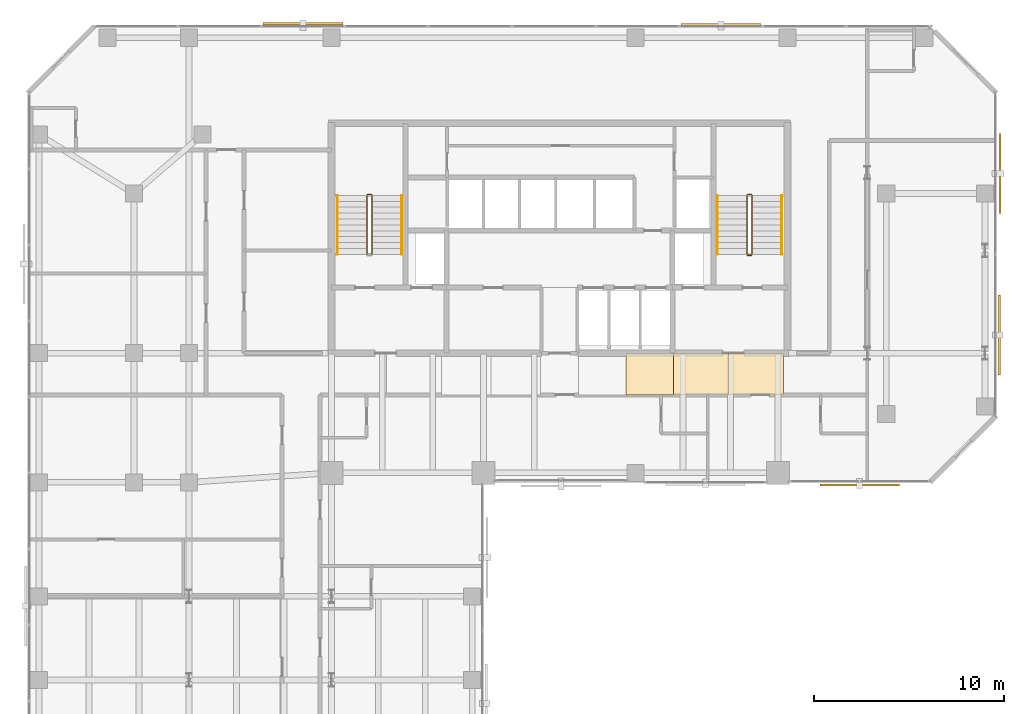
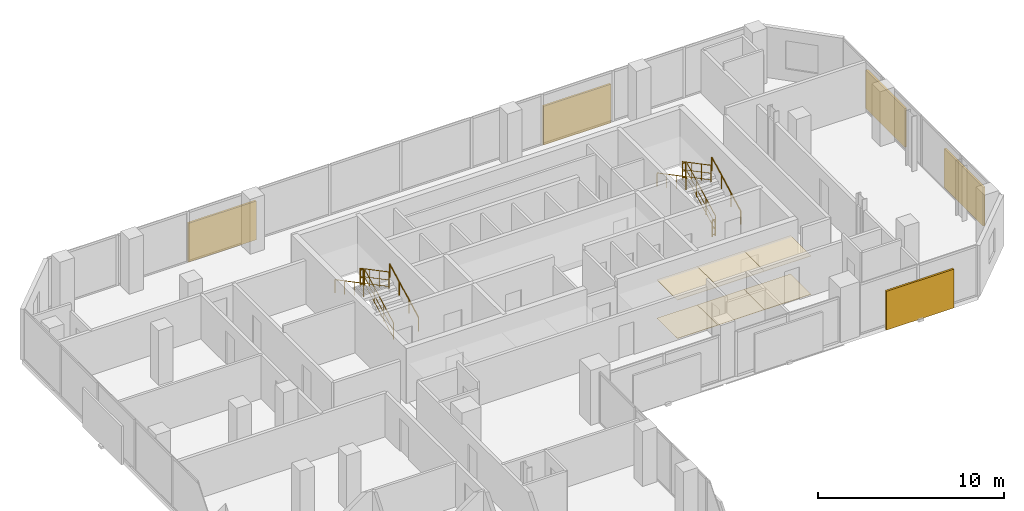
# One storey, part 33 of 33: 11 railings, 6 coverings, 5 shading devices.
"""IFC4 building model written with IfcOpenShell, lengths in metres."""

from ifc_helpers import new_model, si_unit, direction, frame, origin, origin_2d, place, context, subcontext, project, spatial, polyline, rectangle, circle, outline, extrude, material, layer, layer_set, type_object, element, save


model = new_model("IFC4")

# Units and contexts
model_context = context("Model", 3, precision=1e-05, world=origin(), true_north=direction((0.0, 1.0)))
body_context = subcontext(model_context, "Body", "Model", "MODEL_VIEW")
ifc_project = project(units=[si_unit("LENGTHUNIT", "METRE"), si_unit("AREAUNIT", "SQUARE_METRE"), si_unit("VOLUMEUNIT", "CUBIC_METRE"), si_unit("PLANEANGLEUNIT", "RADIAN"), si_unit("MASSUNIT", "GRAM", prefix="KILO")], contexts=[model_context])

# Site, building, storey
site_placement = place(None, origin())
site = spatial("IfcSite", under=ifc_project, at=site_placement, CompositionType="ELEMENT")
building_placement = place(site_placement, origin())
building = spatial("IfcBuilding", under=site, at=building_placement, Name="Catumbela Crestline Tower", CompositionType="ELEMENT")
storey_placement = place(building_placement, frame((0.0, 0.0, 108.0)))
storey = spatial("IfcBuildingStorey", under=building, at=storey_placement, Name="L27", CompositionType="ELEMENT", Elevation=108.0)

# Coverings
ifc_material_1 = material(Name="Mineral-fibre acoustic ceiling")
ifc_layer_1 = layer(ifc_material_1, 0.03, Name="Mineral-fibre acoustic ceiling")
ifc_layer_set_1 = layer_set([ifc_layer_1], Name="Mineral-fibre acoustic ceiling")
covering_type_1 = type_object("IfcCoveringType", Name="CC-AC", PredefinedType="CEILING", material=ifc_layer_set_1)
covering_1_placement = place(storey_placement, frame((0.0, 0.0, 2.52)))
element("IfcCovering", 1, at=covering_1_placement, inside=storey, type_object=covering_type_1, Name="L27 Corridor Acoustic Ceiling Bay 6", PredefinedType="CEILING", context=body_context, shape_type="SweptSolid", body=[
    extrude(outline(polyline([(31.5, 28.6), (34.0, 28.6), (34.0, 30.8), (31.5, 30.8), (31.5, 28.6)])), origin(), (0.0, 0.0, 1.0), 0.03),
])
covering_2_placement = place(storey_placement, frame((0.0, 0.0, 2.52)))
element("IfcCovering", 2, at=covering_2_placement, inside=storey, type_object=covering_type_1, Name="L27 Corridor Acoustic Ceiling Bay 7", PredefinedType="CEILING", context=body_context, shape_type="SweptSolid", body=[
    extrude(outline(polyline([(34.0, 28.6), (36.9, 28.6), (36.9, 30.8), (34.0, 30.8), (34.0, 28.6)])), origin(), (0.0, 0.0, 1.0), 0.03),
])
covering_3_placement = place(storey_placement, frame((0.0, 0.0, 2.52)))
element("IfcCovering", 3, at=covering_3_placement, inside=storey, type_object=covering_type_1, Name="L27 Corridor Acoustic Ceiling Bay 8", PredefinedType="CEILING", context=body_context, shape_type="SweptSolid", body=[
    extrude(outline(polyline([(36.9, 28.6), (39.8, 28.6), (39.8, 30.8), (36.9, 30.8), (36.9, 28.6)])), origin(), (0.0, 0.0, 1.0), 0.03),
])
ifc_material_2 = material(Name="Angolan grey-ochre granite", Category="masonry")
ifc_layer_2 = layer(ifc_material_2, 0.025, Name="Angolan grey-ochre granite")
ifc_layer_set_2 = layer_set([ifc_layer_2], Name="Angolan grey-ochre granite")
covering_type_2 = type_object("IfcCoveringType", Name="CF-GR", PredefinedType="FLOORING", material=ifc_layer_set_2)
covering_4_placement = place(storey_placement, origin())
element("IfcCovering", 4, at=covering_4_placement, inside=storey, type_object=covering_type_2, Name="L27 Corridor Granite Flooring Bay 6", PredefinedType="FLOORING", context=body_context, shape_type="SweptSolid", body=[
    extrude(outline(polyline([(31.5, 28.6), (34.0, 28.6), (34.0, 30.8), (31.5, 30.8), (31.5, 28.6)])), origin(), (0.0, 0.0, 1.0), 0.025),
])
covering_5_placement = place(storey_placement, origin())
element("IfcCovering", 5, at=covering_5_placement, inside=storey, type_object=covering_type_2, Name="L27 Corridor Granite Flooring Bay 7", PredefinedType="FLOORING", context=body_context, shape_type="SweptSolid", body=[
    extrude(outline(polyline([(34.0, 28.6), (36.9, 28.6), (36.9, 30.8), (34.0, 30.8), (34.0, 28.6)])), origin(), (0.0, 0.0, 1.0), 0.025),
])
covering_6_placement = place(storey_placement, origin())
element("IfcCovering", 6, at=covering_6_placement, inside=storey, type_object=covering_type_2, Name="L27 Corridor Granite Flooring Bay 8", PredefinedType="FLOORING", context=body_context, shape_type="SweptSolid", body=[
    extrude(outline(polyline([(36.9, 28.6), (39.8, 28.6), (39.8, 30.8), (36.9, 30.8), (36.9, 28.6)])), origin(), (0.0, 0.0, 1.0), 0.025),
])

# Railings
ifc_material_3 = material(Name="Stainless steel EN 1.4401", Category="steel")
railing_type_1 = type_object("IfcRailingType", Name="RG-1100", PredefinedType="GUARDRAIL", material=ifc_material_3)
railing_1_placement = place(storey_placement, frame((18.14, 36.0, 0.1636)))
element("IfcRailing", 7, at=railing_1_placement, inside=storey, type_object=railing_type_1, Name="L27 ST-01 stair guard 1", PredefinedType="GUARDRAIL", context=body_context, shape_type="SweptSolid", body=[
    extrude(circle(Radius=0.024, at=origin_2d()), frame((0.0, 0.0, 1.076), z_axis=(0.0, 0.884350731049, 0.466823076222), x_axis=(-1.0, 0.0, 0.0)), (0.0, 0.0, 1.0), 3.5054),
    extrude(circle(Radius=0.0156, at=origin_2d()), frame((0.0, 0.0, 0.55), z_axis=(0.0, 0.884350731049, 0.466823076222), x_axis=(-1.0, 0.0, 0.0)), (0.0, 0.0, 1.0), 3.5054),
    extrude(circle(Radius=0.0156, at=origin_2d()), frame((0.0, 0.0, 0.12), z_axis=(0.0, 0.884350731049, 0.466823076222), x_axis=(-1.0, 0.0, 0.0)), (0.0, 0.0, 1.0), 3.5054),
    extrude(circle(Radius=0.021, at=origin_2d()), origin(), (0.0, 0.0, 1.0), 1.052),
    extrude(circle(Radius=0.021, at=origin_2d()), frame((0.0, 1.0333, 0.5455)), (0.0, 0.0, 1.0), 1.052),
    extrude(circle(Radius=0.021, at=origin_2d()), frame((0.0, 2.0667, 1.0909)), (0.0, 0.0, 1.0), 1.052),
    extrude(circle(Radius=0.021, at=origin_2d()), frame((0.0, 3.1, 1.6364)), (0.0, 0.0, 1.0), 1.052),
])
railing_2_placement = place(storey_placement, frame((18.09, 39.15, 1.8)))
element("IfcRailing", 8, at=railing_2_placement, inside=storey, type_object=railing_type_1, Name="L27 ST-01 stair guard 2", PredefinedType="GUARDRAIL", context=body_context, shape_type="SweptSolid", body=[
    extrude(circle(Radius=0.024, at=origin_2d()), frame((0.0, 0.0, 1.076), z_axis=(-1.0, 0.0, 0.0), x_axis=(0.0, -1.0, 0.0)), (0.0, 0.0, 1.0), 0.18),
    extrude(circle(Radius=0.0156, at=origin_2d()), frame((0.0, 0.0, 0.55), z_axis=(-1.0, 0.0, 0.0), x_axis=(0.0, -1.0, 0.0)), (0.0, 0.0, 1.0), 0.18),
    extrude(circle(Radius=0.0156, at=origin_2d()), frame((0.0, 0.0, 0.12), z_axis=(-1.0, 0.0, 0.0), x_axis=(0.0, -1.0, 0.0)), (0.0, 0.0, 1.0), 0.18),
    extrude(circle(Radius=0.021, at=origin_2d()), origin(), (0.0, 0.0, 1.0), 1.052),
    extrude(circle(Radius=0.021, at=origin_2d()), frame((-0.18, 0.0, 0.0)), (0.0, 0.0, 1.0), 1.052),
])
railing_3_placement = place(storey_placement, frame((17.86, 39.1, 1.9636)))
element("IfcRailing", 9, at=railing_3_placement, inside=storey, type_object=railing_type_1, Name="L27 ST-01 stair guard 3", PredefinedType="GUARDRAIL", context=body_context, shape_type="SweptSolid", body=[
    extrude(circle(Radius=0.024, at=origin_2d()), frame((0.0, 0.0, 1.076), z_axis=(0.0, -0.884350731049, 0.466823076222), x_axis=(1.0, 0.0, 0.0)), (0.0, 0.0, 1.0), 3.5054),
    extrude(circle(Radius=0.0156, at=origin_2d()), frame((0.0, 0.0, 0.55), z_axis=(0.0, -0.884350731049, 0.466823076222), x_axis=(1.0, 0.0, 0.0)), (0.0, 0.0, 1.0), 3.5054),
    extrude(circle(Radius=0.0156, at=origin_2d()), frame((0.0, 0.0, 0.12), z_axis=(0.0, -0.884350731049, 0.466823076222), x_axis=(1.0, 0.0, 0.0)), (0.0, 0.0, 1.0), 3.5054),
    extrude(circle(Radius=0.021, at=origin_2d()), origin(), (0.0, 0.0, 1.0), 1.052),
    extrude(circle(Radius=0.021, at=origin_2d()), frame((0.0, -1.0333, 0.5455)), (0.0, 0.0, 1.0), 1.052),
    extrude(circle(Radius=0.021, at=origin_2d()), frame((0.0, -2.0667, 1.0909)), (0.0, 0.0, 1.0), 1.052),
    extrude(circle(Radius=0.021, at=origin_2d()), frame((0.0, -3.1, 1.6364)), (0.0, 0.0, 1.0), 1.052),
])
railing_4_placement = place(storey_placement, frame((38.14, 36.0, 0.1636)))
element("IfcRailing", 10, at=railing_4_placement, inside=storey, type_object=railing_type_1, Name="L27 ST-02 stair guard 1", PredefinedType="GUARDRAIL", context=body_context, shape_type="SweptSolid", body=[
    extrude(circle(Radius=0.024, at=origin_2d()), frame((0.0, 0.0, 1.076), z_axis=(0.0, 0.884350731049, 0.466823076222), x_axis=(-1.0, 0.0, 0.0)), (0.0, 0.0, 1.0), 3.5054),
    extrude(circle(Radius=0.0156, at=origin_2d()), frame((0.0, 0.0, 0.55), z_axis=(0.0, 0.884350731049, 0.466823076222), x_axis=(-1.0, 0.0, 0.0)), (0.0, 0.0, 1.0), 3.5054),
    extrude(circle(Radius=0.0156, at=origin_2d()), frame((0.0, 0.0, 0.12), z_axis=(0.0, 0.884350731049, 0.466823076222), x_axis=(-1.0, 0.0, 0.0)), (0.0, 0.0, 1.0), 3.5054),
    extrude(circle(Radius=0.021, at=origin_2d()), origin(), (0.0, 0.0, 1.0), 1.052),
    extrude(circle(Radius=0.021, at=origin_2d()), frame((0.0, 1.0333, 0.5455)), (0.0, 0.0, 1.0), 1.052),
    extrude(circle(Radius=0.021, at=origin_2d()), frame((0.0, 2.0667, 1.0909)), (0.0, 0.0, 1.0), 1.052),
    extrude(circle(Radius=0.021, at=origin_2d()), frame((0.0, 3.1, 1.6364)), (0.0, 0.0, 1.0), 1.052),
])
railing_5_placement = place(storey_placement, frame((38.09, 39.15, 1.8)))
element("IfcRailing", 11, at=railing_5_placement, inside=storey, type_object=railing_type_1, Name="L27 ST-02 stair guard 2", PredefinedType="GUARDRAIL", context=body_context, shape_type="SweptSolid", body=[
    extrude(circle(Radius=0.024, at=origin_2d()), frame((0.0, 0.0, 1.076), z_axis=(-1.0, 0.0, 0.0), x_axis=(0.0, -1.0, 0.0)), (0.0, 0.0, 1.0), 0.18),
    extrude(circle(Radius=0.0156, at=origin_2d()), frame((0.0, 0.0, 0.55), z_axis=(-1.0, 0.0, 0.0), x_axis=(0.0, -1.0, 0.0)), (0.0, 0.0, 1.0), 0.18),
    extrude(circle(Radius=0.0156, at=origin_2d()), frame((0.0, 0.0, 0.12), z_axis=(-1.0, 0.0, 0.0), x_axis=(0.0, -1.0, 0.0)), (0.0, 0.0, 1.0), 0.18),
    extrude(circle(Radius=0.021, at=origin_2d()), origin(), (0.0, 0.0, 1.0), 1.052),
    extrude(circle(Radius=0.021, at=origin_2d()), frame((-0.18, 0.0, 0.0)), (0.0, 0.0, 1.0), 1.052),
])
railing_6_placement = place(storey_placement, frame((37.86, 39.1, 1.9636)))
element("IfcRailing", 12, at=railing_6_placement, inside=storey, type_object=railing_type_1, Name="L27 ST-02 stair guard 3", PredefinedType="GUARDRAIL", context=body_context, shape_type="SweptSolid", body=[
    extrude(circle(Radius=0.024, at=origin_2d()), frame((0.0, 0.0, 1.076), z_axis=(0.0, -0.884350731049, 0.466823076222), x_axis=(1.0, 0.0, 0.0)), (0.0, 0.0, 1.0), 3.5054),
    extrude(circle(Radius=0.0156, at=origin_2d()), frame((0.0, 0.0, 0.55), z_axis=(0.0, -0.884350731049, 0.466823076222), x_axis=(1.0, 0.0, 0.0)), (0.0, 0.0, 1.0), 3.5054),
    extrude(circle(Radius=0.0156, at=origin_2d()), frame((0.0, 0.0, 0.12), z_axis=(0.0, -0.884350731049, 0.466823076222), x_axis=(1.0, 0.0, 0.0)), (0.0, 0.0, 1.0), 3.5054),
    extrude(circle(Radius=0.021, at=origin_2d()), origin(), (0.0, 0.0, 1.0), 1.052),
    extrude(circle(Radius=0.021, at=origin_2d()), frame((0.0, -1.0333, 0.5455)), (0.0, 0.0, 1.0), 1.052),
    extrude(circle(Radius=0.021, at=origin_2d()), frame((0.0, -2.0667, 1.0909)), (0.0, 0.0, 1.0), 1.052),
    extrude(circle(Radius=0.021, at=origin_2d()), frame((0.0, -3.1, 1.6364)), (0.0, 0.0, 1.0), 1.052),
])
railing_7_placement = place(storey_placement, frame((38.09, 35.95, 0.0)))
element("IfcRailing", 13, at=railing_7_placement, inside=storey, type_object=railing_type_1, Name="L27 ST-02 stair guard 4", PredefinedType="GUARDRAIL", context=body_context, shape_type="SweptSolid", body=[
    extrude(circle(Radius=0.024, at=origin_2d()), frame((0.0, 0.0, 1.076), z_axis=(-1.0, 0.0, 0.0), x_axis=(0.0, -1.0, 0.0)), (0.0, 0.0, 1.0), 0.18),
    extrude(circle(Radius=0.0156, at=origin_2d()), frame((0.0, 0.0, 0.55), z_axis=(-1.0, 0.0, 0.0), x_axis=(0.0, -1.0, 0.0)), (0.0, 0.0, 1.0), 0.18),
    extrude(circle(Radius=0.0156, at=origin_2d()), frame((0.0, 0.0, 0.12), z_axis=(-1.0, 0.0, 0.0), x_axis=(0.0, -1.0, 0.0)), (0.0, 0.0, 1.0), 0.18),
    extrude(circle(Radius=0.021, at=origin_2d()), origin(), (0.0, 0.0, 1.0), 1.052),
    extrude(circle(Radius=0.021, at=origin_2d()), frame((-0.18, 0.0, 0.0)), (0.0, 0.0, 1.0), 1.052),
])
railing_type_2 = type_object("IfcRailingType", Name="RH-0900", PredefinedType="HANDRAIL", material=ifc_material_3)
railing_8_placement = place(storey_placement, frame((19.7, 36.0, 0.1636)))
element("IfcRailing", 14, at=railing_8_placement, inside=storey, type_object=railing_type_2, Name="L27 ST-01 stair handrail 1", PredefinedType="HANDRAIL", context=body_context, shape_type="SweptSolid", body=[
    extrude(circle(Radius=0.024, at=origin_2d()), frame((0.0, 0.0, 0.876), z_axis=(0.0, 0.884350731049, 0.466823076222), x_axis=(-1.0, 0.0, 0.0)), (0.0, 0.0, 1.0), 3.5054),
    extrude(circle(Radius=0.021, at=origin_2d()), origin(), (0.0, 0.0, 1.0), 0.852),
    extrude(circle(Radius=0.021, at=origin_2d()), frame((0.0, 1.0333, 0.5455)), (0.0, 0.0, 1.0), 0.852),
    extrude(circle(Radius=0.021, at=origin_2d()), frame((0.0, 2.0667, 1.0909)), (0.0, 0.0, 1.0), 0.852),
    extrude(circle(Radius=0.021, at=origin_2d()), frame((0.0, 3.1, 1.6364)), (0.0, 0.0, 1.0), 0.852),
])
railing_9_placement = place(storey_placement, frame((16.3, 39.1, 1.9636)))
element("IfcRailing", 15, at=railing_9_placement, inside=storey, type_object=railing_type_2, Name="L27 ST-01 stair handrail 2", PredefinedType="HANDRAIL", context=body_context, shape_type="SweptSolid", body=[
    extrude(circle(Radius=0.024, at=origin_2d()), frame((0.0, 0.0, 0.876), z_axis=(0.0, -0.884350731049, 0.466823076222), x_axis=(1.0, 0.0, 0.0)), (0.0, 0.0, 1.0), 3.5054),
    extrude(circle(Radius=0.021, at=origin_2d()), origin(), (0.0, 0.0, 1.0), 0.852),
    extrude(circle(Radius=0.021, at=origin_2d()), frame((0.0, -1.0333, 0.5455)), (0.0, 0.0, 1.0), 0.852),
    extrude(circle(Radius=0.021, at=origin_2d()), frame((0.0, -2.0667, 1.0909)), (0.0, 0.0, 1.0), 0.852),
    extrude(circle(Radius=0.021, at=origin_2d()), frame((0.0, -3.1, 1.6364)), (0.0, 0.0, 1.0), 0.852),
])
railing_10_placement = place(storey_placement, frame((39.7, 36.0, 0.1636)))
element("IfcRailing", 16, at=railing_10_placement, inside=storey, type_object=railing_type_2, Name="L27 ST-02 stair handrail 1", PredefinedType="HANDRAIL", context=body_context, shape_type="SweptSolid", body=[
    extrude(circle(Radius=0.024, at=origin_2d()), frame((0.0, 0.0, 0.876), z_axis=(0.0, 0.884350731049, 0.466823076222), x_axis=(-1.0, 0.0, 0.0)), (0.0, 0.0, 1.0), 3.5054),
    extrude(circle(Radius=0.021, at=origin_2d()), origin(), (0.0, 0.0, 1.0), 0.852),
    extrude(circle(Radius=0.021, at=origin_2d()), frame((0.0, 1.0333, 0.5455)), (0.0, 0.0, 1.0), 0.852),
    extrude(circle(Radius=0.021, at=origin_2d()), frame((0.0, 2.0667, 1.0909)), (0.0, 0.0, 1.0), 0.852),
    extrude(circle(Radius=0.021, at=origin_2d()), frame((0.0, 3.1, 1.6364)), (0.0, 0.0, 1.0), 0.852),
])
railing_11_placement = place(storey_placement, frame((36.3, 39.1, 1.9636)))
element("IfcRailing", 17, at=railing_11_placement, inside=storey, type_object=railing_type_2, Name="L27 ST-02 stair handrail 2", PredefinedType="HANDRAIL", context=body_context, shape_type="SweptSolid", body=[
    extrude(circle(Radius=0.024, at=origin_2d()), frame((0.0, 0.0, 0.876), z_axis=(0.0, -0.884350731049, 0.466823076222), x_axis=(1.0, 0.0, 0.0)), (0.0, 0.0, 1.0), 3.5054),
    extrude(circle(Radius=0.021, at=origin_2d()), origin(), (0.0, 0.0, 1.0), 0.852),
    extrude(circle(Radius=0.021, at=origin_2d()), frame((0.0, -1.0333, 0.5455)), (0.0, 0.0, 1.0), 0.852),
    extrude(circle(Radius=0.021, at=origin_2d()), frame((0.0, -2.0667, 1.0909)), (0.0, 0.0, 1.0), 0.852),
    extrude(circle(Radius=0.021, at=origin_2d()), frame((0.0, -3.1, 1.6364)), (0.0, 0.0, 1.0), 0.852),
])

# Shading devices
ifc_material_4 = material(Name="Extruded terracotta ceramic", Category="masonry")
shading_device_type_1 = type_object("IfcShadingDeviceType", Name="ST-180", PredefinedType="USERDEFINED", material=ifc_material_4)
shading_device_1_placement = place(storey_placement, frame((36.5, 48.099, -0.1), z_axis=(0.0, 0.0, 1.0), x_axis=(-1.0, 0.0, 0.0)))
element("IfcShadingDevice", 18, at=shading_device_1_placement, inside=storey, type_object=shading_device_type_1, Name="L27 Perforated Terracotta Solar Screen 285 (180 mm)", ObjectType="SCREEN", PredefinedType="USERDEFINED", context=body_context, shape_type="SweptSolid", body=[
    extrude(rectangle(XDim=4.2, YDim=0.12, at=origin_2d()), origin(), (0.0, 0.0, 1.0), 2.55),
])
shading_device_type_2 = type_object("IfcShadingDeviceType", Name="ST-260", PredefinedType="USERDEFINED", material=ifc_material_4)
for number, where, z_axis, x_axis, name in (
    (19, (43.8, 23.857, -0.1), (0.0, 0.0, 1.0), (1.0, 0.0, 0.0), "L27 Perforated Terracotta Solar Screen 282 (260 mm)"),
    (20, (51.143, 31.75, -0.1), (0.0, 0.0, 1.0), (0.0, 1.0, 0.0), "L27 Perforated Terracotta Solar Screen 283 (260 mm)"),
    (21, (14.5, 48.143, -0.1), (0.0, 0.0, 1.0), (-1.0, 0.0, 0.0), "L27 Perforated Terracotta Solar Screen 286 (260 mm)"),
):
    element("IfcShadingDevice", number, at=place(storey_placement, frame(where, z_axis=z_axis, x_axis=x_axis)), inside=storey, type_object=shading_device_type_2, Name=name, ObjectType="SCREEN", PredefinedType="USERDEFINED", context=body_context, shape_type="SweptSolid", body=[
        extrude(rectangle(XDim=4.2, YDim=0.12, at=origin_2d()), origin(), (0.0, 0.0, 1.0), 2.55),
    ])
shading_device_type_3 = type_object("IfcShadingDeviceType", Name="ST-340", PredefinedType="USERDEFINED", material=ifc_material_4)
shading_device_2_placement = place(storey_placement, frame((51.187, 40.25, -0.1), z_axis=(0.0, 0.0, 1.0), x_axis=(0.0, 1.0, 0.0)))
element("IfcShadingDevice", 22, at=shading_device_2_placement, inside=storey, type_object=shading_device_type_3, Name="L27 Perforated Terracotta Solar Screen 284 (340 mm)", ObjectType="SCREEN", PredefinedType="USERDEFINED", context=body_context, shape_type="SweptSolid", body=[
    extrude(rectangle(XDim=4.2, YDim=0.12, at=origin_2d()), origin(), (0.0, 0.0, 1.0), 2.55),
])

save(model, "model.ifc")
